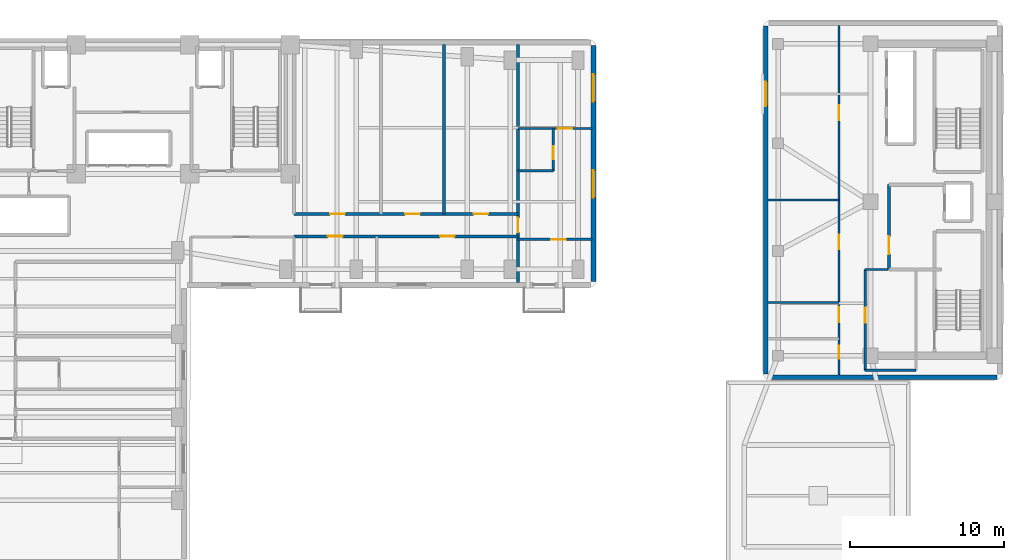
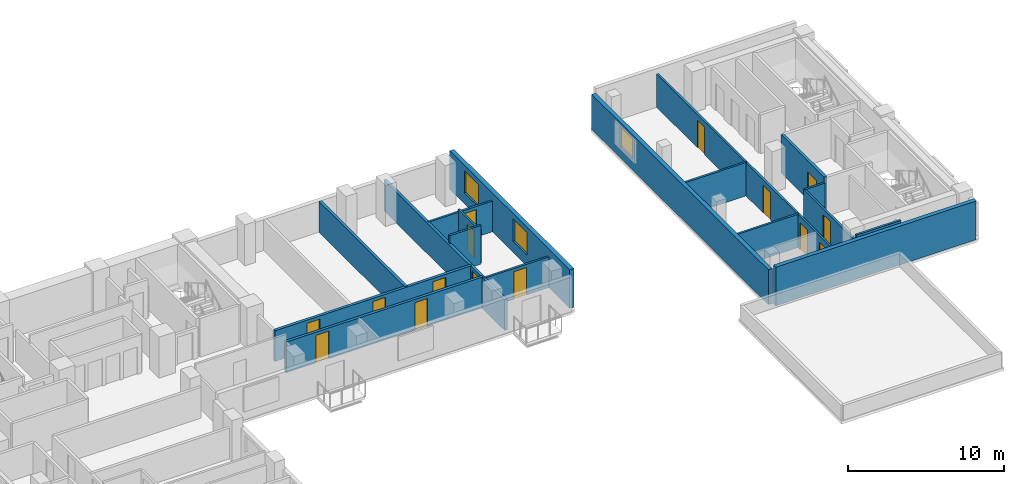
# One storey, part 5 of 11: 18 walls, 15 doors, 3 windows, 18 openings.
"""IFC4 building model written with IfcOpenShell, lengths in metres."""

from ifc_helpers import new_model, si_unit, direction, frame, frame_2d, origin, place, context, subcontext, project, spatial, rectangle, extrude, material, layer, layer_set, type_object, element, fill, save


model = new_model("IFC4")

# Units and contexts
model_context = context("Model", 3, precision=1e-05, world=origin(), true_north=direction((0.0, 1.0)))
body_context = subcontext(model_context, "Body", "Model", "MODEL_VIEW")
ifc_project = project(units=[si_unit("LENGTHUNIT", "METRE"), si_unit("AREAUNIT", "SQUARE_METRE"), si_unit("VOLUMEUNIT", "CUBIC_METRE"), si_unit("PLANEANGLEUNIT", "RADIAN"), si_unit("MASSUNIT", "GRAM", prefix="KILO")], contexts=[model_context])

# Site, building, storey
site_placement = place(None, origin())
site = spatial("IfcSite", under=ifc_project, at=site_placement, CompositionType="ELEMENT")
building_placement = place(site_placement, origin())
building = spatial("IfcBuilding", under=site, at=building_placement, Name="Kuzgunbayir Cultural Tower", CompositionType="ELEMENT")
storey_placement = place(building_placement, frame((0.0, 0.0, 86.60009765625)))
storey = spatial("IfcBuildingStorey", under=building, at=storey_placement, Name="L24", CompositionType="ELEMENT", Elevation=86.60009765625)

# Wall, opening, window
ifc_material_1 = material(Name="Anatolian Cream Limestone", Category="masonry")
ifc_layer_1 = layer(ifc_material_1, 0.300048828125)
ifc_layer_set_1 = layer_set([ifc_layer_1], Name="Anatolian Cream Limestone")
wall_type_1 = type_object("IfcWallType", Name="WAL-EXT-STONE-300", PredefinedType="STANDARD", material=ifc_layer_set_1)
wall_1_placement = place(storey_placement, frame((57.800048828125, 43.39990234375, 0.0), z_axis=(0.0, 0.0, 1.0), x_axis=(0.0, -1.0, 0.0)))
wall_1 = element("IfcWall", 1, at=wall_1_placement, inside=storey, type_object=wall_type_1, Name="L24 Companion West Limestone Wall", PredefinedType="STANDARD", context=body_context, shape_type="SweptSolid", body=[
    extrude(rectangle(XDim=22.599853515625, YDim=0.300048828125, at=frame_2d((11.2998046875, 0.0))), origin(), (0.0, 0.0, 1.0), 2.72998046875),
])
opening_1_placement = place(wall_1_placement, frame((3.60009765625, 0.0, 0.85009765625)))
opening_1 = element("IfcOpeningElement", 2, at=opening_1_placement, cuts=wall_1, Name="Opening WC-16", PredefinedType="OPENING", context=body_context, shape_type="SweptSolid", body=[
    extrude(rectangle(XDim=1.60009765625, YDim=1.580078125, at=frame_2d((0.800048828125, 0.7900390625))), frame((0.0, 0.16015625, 0.0), z_axis=(0.0, -1.0, 0.0), x_axis=(1.0, 0.0, 0.0)), (0.0, 0.0, 1.0), 0.320068359375),
])
ifc_material_2 = material(Name="Solar-Control Triple Glazing", Category="glass")
window_type_1 = type_object("IfcWindowType", Name="WIN-COMP-16", PartitioningType="SINGLE_PANEL", PredefinedType="WINDOW", material=ifc_material_2)
window_1_placement = place(opening_1_placement, origin())
window_1 = element("IfcWindow", 3, at=window_1_placement, inside=storey, type_object=window_type_1, Name="L24 Companion West Window 39", OverallHeight=1.580078125, OverallWidth=1.60009765625, PartitioningType="SINGLE_PANEL", PredefinedType="WINDOW", context=body_context, shape_type="SweptSolid", body=[
    extrude(rectangle(XDim=1.60009765625, YDim=1.580078125, at=frame_2d((0.800048828125, 0.7900390625))), frame((0.0, 0.030029296875, 0.0), z_axis=(0.0, -1.0, 0.0), x_axis=(1.0, 0.0, 0.0)), (0.0, 0.0, 1.0), 0.06005859375),
])
fill(opening_1, window_1)

# Wall
wall_2_placement = place(storey_placement, frame((58.0, 20.60009765625, 0.0), z_axis=(0.0, 0.0, 1.0), x_axis=(1.0, 0.0, 0.0)))
element("IfcWall", 4, at=wall_2_placement, inside=storey, type_object=wall_type_1, Name="L24 Companion South Limestone Wall", PredefinedType="STANDARD", context=body_context, shape_type="SweptSolid", body=[
    extrude(rectangle(XDim=14.800048828125, YDim=0.300048828125, at=frame_2d((7.39990234375, 0.0))), origin(), (0.0, 0.0, 1.0), 3.02001953125),
])

# Wall, openings, windows
ifc_material_3 = material(Name="Travertine Buff Ashlar", Category="masonry")
ifc_layer_2 = layer(ifc_material_3, 0.320068359375)
ifc_layer_set_2 = layer_set([ifc_layer_2], Name="Travertine Buff Ashlar")
wall_type_2 = type_object("IfcWallType", Name="WAL-EXT-STONE-320", PredefinedType="STANDARD", material=ifc_layer_set_2)
wall_3_placement = place(storey_placement, frame((46.60009765625, 26.800048828125, 0.0), z_axis=(0.0, 0.0, 1.0), x_axis=(0.0, 1.0, 0.0)))
wall_3 = element("IfcWall", 5, at=wall_3_placement, inside=storey, type_object=wall_type_2, Name="L24 Wing B East Limestone Wall", PredefinedType="STANDARD", context=body_context, shape_type="SweptSolid", body=[
    extrude(rectangle(XDim=15.349853515625, YDim=0.320068359375, at=frame_2d((7.6748046875, 0.0))), origin(), (0.0, 0.0, 1.0), 3.02001953125),
])
opening_2_placement = place(wall_3_placement, frame((5.449951171875, 0.0, 0.85009765625)))
opening_2 = element("IfcOpeningElement", 6, at=opening_2_placement, cuts=wall_3, Name="Opening WH-18", PredefinedType="OPENING", context=body_context, shape_type="SweptSolid", body=[
    extrude(rectangle(XDim=1.800048828125, YDim=1.75, at=frame_2d((0.89990234375, 0.875))), frame((0.0, 0.169921875, 0.0), z_axis=(0.0, -1.0, 0.0), x_axis=(1.0, 0.0, 0.0)), (0.0, 0.0, 1.0), 0.340087890625),
])
opening_3_placement = place(wall_3_placement, frame((11.679931640625, 0.0, 0.85009765625)))
opening_3 = element("IfcOpeningElement", 7, at=opening_3_placement, cuts=wall_3, Name="Opening WH-18", PredefinedType="OPENING", context=body_context, shape_type="SweptSolid", body=[
    extrude(rectangle(XDim=1.800048828125, YDim=1.75, at=frame_2d((0.89990234375, 0.875))), frame((0.0, 0.169921875, 0.0), z_axis=(0.0, -1.0, 0.0), x_axis=(1.0, 0.0, 0.0)), (0.0, 0.0, 1.0), 0.340087890625),
])
window_type_2 = type_object("IfcWindowType", Name="WIN-HOTEL-18", PartitioningType="SINGLE_PANEL", PredefinedType="WINDOW", material=ifc_material_2)
window_2_placement = place(opening_2_placement, origin())
window_2 = element("IfcWindow", 8, at=window_2_placement, inside=storey, type_object=window_type_2, Name="L24 WBE Facade Window 4", OverallHeight=1.75, OverallWidth=1.800048828125, PartitioningType="SINGLE_PANEL", PredefinedType="WINDOW", context=body_context, shape_type="SweptSolid", body=[
    extrude(rectangle(XDim=1.800048828125, YDim=1.75, at=frame_2d((0.89990234375, 0.875))), frame((0.0, 0.030029296875, 0.0), z_axis=(0.0, -1.0, 0.0), x_axis=(1.0, 0.0, 0.0)), (0.0, 0.0, 1.0), 0.06005859375),
])
fill(opening_2, window_2)
window_3_placement = place(opening_3_placement, origin())
window_3 = element("IfcWindow", 9, at=window_3_placement, inside=storey, type_object=window_type_2, Name="L24 WBE Facade Window 5", OverallHeight=1.75, OverallWidth=1.800048828125, PartitioningType="SINGLE_PANEL", PredefinedType="WINDOW", context=body_context, shape_type="SweptSolid", body=[
    extrude(rectangle(XDim=1.800048828125, YDim=1.75, at=frame_2d((0.89990234375, 0.875))), frame((0.0, 0.030029296875, 0.0), z_axis=(0.0, -1.0, 0.0), x_axis=(1.0, 0.0, 0.0)), (0.0, 0.0, 1.0), 0.06005859375),
])
fill(opening_3, window_3)

# Wall, opening, door
ifc_material_4 = material(Name="Acoustic Double-Stud Drywall", Category="gypsum")
ifc_layer_3 = layer(ifc_material_4, 0.14990234375)
ifc_layer_set_3 = layer_set([ifc_layer_3], Name="Acoustic Double-Stud Drywall")
wall_type_3 = type_object("IfcWallType", Name="WAL-PART-ACOUSTIC-150", PredefinedType="PARTITIONING", material=ifc_layer_set_3)
wall_4_placement = place(storey_placement, frame((41.699951171875, 36.75, 0.0), z_axis=(0.0, 0.0, 1.0), x_axis=(1.0, 0.0, 0.0)))
wall_4 = element("IfcWall", 10, at=wall_4_placement, inside=storey, type_object=wall_type_3, Name="L24 Corner Suite Bedroom Wall", PredefinedType="PARTITIONING", context=body_context, shape_type="SweptSolid", body=[
    extrude(rectangle(XDim=4.800048828125, YDim=0.14990234375, at=frame_2d((2.39990234375, 0.0))), origin(), (0.0, 0.0, 1.0), 2.39990234375),
])
opening_4_placement = place(wall_4_placement, frame((2.590087890625, 0.0, 0.0)))
opening_4 = element("IfcOpeningElement", 11, at=opening_4_placement, cuts=wall_4, Name="Opening DI-90", PredefinedType="OPENING", context=body_context, shape_type="SweptSolid", body=[
    extrude(rectangle(XDim=0.949951171875, YDim=2.14990234375, at=frame_2d((0.47509765625, 1.074951171875))), frame((0.0, 0.0849609375, 0.0), z_axis=(0.0, -1.0, 0.0), x_axis=(1.0, 0.0, 0.0)), (0.0, 0.0, 1.0), 0.169921875),
])
ifc_material_5 = material(Name="Veneered Oak Single Leaf", Category="wood")
door_type_1 = type_object("IfcDoorType", Name="DR-INT-90", OperationType="NOTDEFINED", PredefinedType="DOOR", material=ifc_material_5)
door_1_placement = place(opening_4_placement, origin())
door_1 = element("IfcDoor", 12, at=door_1_placement, inside=storey, type_object=door_type_1, Name="L24 Corner Bedroom Door", OperationType="SINGLE_SWING_LEFT", OverallHeight=2.14990234375, OverallWidth=0.949951171875, PredefinedType="DOOR", context=body_context, shape_type="SweptSolid", body=[
    extrude(rectangle(XDim=0.949951171875, YDim=2.14990234375, at=frame_2d((0.47509765625, 1.074951171875))), frame((0.0, 0.02490234375, 0.0), z_axis=(0.0, -1.0, 0.0), x_axis=(1.0, 0.0, 0.0)), (0.0, 0.0, 1.0), 0.050048828125),
])
fill(opening_4, door_1)

wall_5_placement = place(storey_placement, frame((64.25, 21.050048828125, 0.0), z_axis=(0.0, 0.0, 1.0), x_axis=(0.0, 1.0, 0.0)))
wall_5 = element("IfcWall", 13, at=wall_5_placement, inside=storey, type_object=wall_type_3, Name="L24 Companion Archive West Wall", PredefinedType="PARTITIONING", context=body_context, shape_type="SweptSolid", body=[
    extrude(rectangle(XDim=6.550048828125, YDim=0.14990234375, at=frame_2d((3.27490234375, 0.0))), origin(), (0.0, 0.0, 1.0), 2.599853515625),
])
opening_5_placement = place(wall_5_placement, frame((3.10009765625, 0.0, 0.0)))
opening_5 = element("IfcOpeningElement", 14, at=opening_5_placement, cuts=wall_5, Name="Opening DI-90", PredefinedType="OPENING", context=body_context, shape_type="SweptSolid", body=[
    extrude(rectangle(XDim=0.949951171875, YDim=2.14990234375, at=frame_2d((0.47509765625, 1.074951171875))), frame((0.0, 0.0849609375, 0.0), z_axis=(0.0, -1.0, 0.0), x_axis=(1.0, 0.0, 0.0)), (0.0, 0.0, 1.0), 0.169921875),
])
door_2_placement = place(opening_5_placement, origin())
door_2 = element("IfcDoor", 15, at=door_2_placement, inside=storey, type_object=door_type_1, Name="L24 Companion Archive Door", OperationType="SINGLE_SWING_LEFT", OverallHeight=2.14990234375, OverallWidth=0.949951171875, PredefinedType="DOOR", context=body_context, shape_type="SweptSolid", body=[
    extrude(rectangle(XDim=0.949951171875, YDim=2.14990234375, at=frame_2d((0.47509765625, 1.074951171875))), frame((0.0, 0.02490234375, 0.0), z_axis=(0.0, -1.0, 0.0), x_axis=(1.0, 0.0, 0.0)), (0.0, 0.0, 1.0), 0.050048828125),
])
fill(opening_5, door_2)

# Walls
wall_6_placement = place(storey_placement, frame((64.25, 21.050048828125, 0.0), z_axis=(0.0, 0.0, 1.0), x_axis=(1.0, 0.0, 0.0)))
element("IfcWall", 16, at=wall_6_placement, inside=storey, type_object=wall_type_3, Name="L24 Companion Archive South Wall", PredefinedType="PARTITIONING", context=body_context, shape_type="SweptSolid", body=[
    extrude(rectangle(XDim=3.300048828125, YDim=0.14990234375, at=frame_2d((1.64990234375, 0.0))), origin(), (0.0, 0.0, 1.0), 3.02001953125),
])
wall_7_placement = place(storey_placement, frame((64.25, 27.60009765625, 0.0), z_axis=(0.0, 0.0, 1.0), x_axis=(1.0, 0.0, 0.0)))
element("IfcWall", 17, at=wall_7_placement, inside=storey, type_object=wall_type_3, Name="L24 Companion Archive North Wall", PredefinedType="PARTITIONING", context=body_context, shape_type="SweptSolid", body=[
    extrude(rectangle(XDim=1.469970703125, YDim=0.14990234375, at=frame_2d((0.73486328125, 0.0))), origin(), (0.0, 0.0, 1.0), 2.599853515625),
])

# Wall, openings, doors
wall_8_placement = place(storey_placement, frame((62.550048828125, 20.75, 0.0), z_axis=(0.0, 0.0, 1.0), x_axis=(0.0, 1.0, 0.0)))
wall_8 = element("IfcWall", 18, at=wall_8_placement, inside=storey, type_object=wall_type_3, Name="L24 Companion Corridor West Wall", PredefinedType="PARTITIONING", context=body_context, shape_type="SweptSolid", body=[
    extrude(rectangle(XDim=22.699951171875, YDim=0.14990234375, at=frame_2d((11.35009765625, 0.0))), origin(), (0.0, 0.0, 1.0), 2.599853515625),
])
opening_6_placement = place(wall_8_placement, frame((1.050048828125, 0.0, 0.0)))
opening_6 = element("IfcOpeningElement", 19, at=opening_6_placement, cuts=wall_8, Name="Opening DW-85", PredefinedType="OPENING", context=body_context, shape_type="SweptSolid", body=[
    extrude(rectangle(XDim=0.85009765625, YDim=2.10009765625, at=frame_2d((0.425048828125, 1.050048828125))), frame((0.0, 0.0849609375, 0.0), z_axis=(0.0, -1.0, 0.0), x_axis=(1.0, 0.0, 0.0)), (0.0, 0.0, 1.0), 0.169921875),
])
opening_7_placement = place(wall_8_placement, frame((3.429931640625, 0.0, 0.0)))
opening_7 = element("IfcOpeningElement", 20, at=opening_7_placement, cuts=wall_8, Name="Opening DW-95", PredefinedType="OPENING", context=body_context, shape_type="SweptSolid", body=[
    extrude(rectangle(XDim=0.949951171875, YDim=2.10009765625, at=frame_2d((0.47509765625, 1.050048828125))), frame((0.0, 0.0849609375, 0.0), z_axis=(0.0, -1.0, 0.0), x_axis=(1.0, 0.0, 0.0)), (0.0, 0.0, 1.0), 0.169921875),
])
opening_8_placement = place(wall_8_placement, frame((8.14990234375, 0.0, 0.0)))
opening_8 = element("IfcOpeningElement", 21, at=opening_8_placement, cuts=wall_8, Name="Opening DI-90", PredefinedType="OPENING", context=body_context, shape_type="SweptSolid", body=[
    extrude(rectangle(XDim=0.949951171875, YDim=2.14990234375, at=frame_2d((0.47509765625, 1.074951171875))), frame((0.0, 0.0849609375, 0.0), z_axis=(0.0, -1.0, 0.0), x_axis=(1.0, 0.0, 0.0)), (0.0, 0.0, 1.0), 0.169921875),
])
opening_9_placement = place(wall_8_placement, frame((16.550048828125, 0.0, 0.0)))
opening_9 = element("IfcOpeningElement", 22, at=opening_9_placement, cuts=wall_8, Name="Opening DI-90", PredefinedType="OPENING", context=body_context, shape_type="SweptSolid", body=[
    extrude(rectangle(XDim=0.949951171875, YDim=2.14990234375, at=frame_2d((0.47509765625, 1.074951171875))), frame((0.0, 0.0849609375, 0.0), z_axis=(0.0, -1.0, 0.0), x_axis=(1.0, 0.0, 0.0)), (0.0, 0.0, 1.0), 0.169921875),
])
door_3_placement = place(opening_8_placement, origin())
door_3 = element("IfcDoor", 23, at=door_3_placement, inside=storey, type_object=door_type_1, Name="L24 Companion Curatorial Office 1 Door", OperationType="SINGLE_SWING_RIGHT", OverallHeight=2.14990234375, OverallWidth=0.949951171875, PredefinedType="DOOR", context=body_context, shape_type="SweptSolid", body=[
    extrude(rectangle(XDim=0.949951171875, YDim=2.14990234375, at=frame_2d((0.47509765625, 1.074951171875))), frame((0.0, 0.02490234375, 0.0), z_axis=(0.0, -1.0, 0.0), x_axis=(1.0, 0.0, 0.0)), (0.0, 0.0, 1.0), 0.050048828125),
])
fill(opening_8, door_3)
door_4_placement = place(opening_9_placement, origin())
door_4 = element("IfcDoor", 24, at=door_4_placement, inside=storey, type_object=door_type_1, Name="L24 Companion Art Publication Salon 2 Door", OperationType="SINGLE_SWING_LEFT", OverallHeight=2.14990234375, OverallWidth=0.949951171875, PredefinedType="DOOR", context=body_context, shape_type="SweptSolid", body=[
    extrude(rectangle(XDim=0.949951171875, YDim=2.14990234375, at=frame_2d((0.47509765625, 1.074951171875))), frame((0.0, 0.02490234375, 0.0), z_axis=(0.0, -1.0, 0.0), x_axis=(1.0, 0.0, 0.0)), (0.0, 0.0, 1.0), 0.050048828125),
])
fill(opening_9, door_4)
ifc_material_6 = material(Name="Laminate Moisture-Resistant Leaf", Category="wood")
door_type_2 = type_object("IfcDoorType", Name="DR-WET-85", OperationType="NOTDEFINED", PredefinedType="DOOR", material=ifc_material_6)
door_5_placement = place(opening_6_placement, origin())
door_5 = element("IfcDoor", 25, at=door_5_placement, inside=storey, type_object=door_type_2, Name="L24 Companion WC Door", OperationType="SINGLE_SWING_RIGHT", OverallHeight=2.10009765625, OverallWidth=0.85009765625, PredefinedType="DOOR", context=body_context, shape_type="SweptSolid", body=[
    extrude(rectangle(XDim=0.85009765625, YDim=2.10009765625, at=frame_2d((0.425048828125, 1.050048828125))), frame((0.0, 0.02490234375, 0.0), z_axis=(0.0, -1.0, 0.0), x_axis=(1.0, 0.0, 0.0)), (0.0, 0.0, 1.0), 0.050048828125),
])
fill(opening_6, door_5)
door_type_3 = type_object("IfcDoorType", Name="DR-WET-95", OperationType="NOTDEFINED", PredefinedType="DOOR", material=ifc_material_6)
door_6_placement = place(opening_7_placement, origin())
door_6 = element("IfcDoor", 26, at=door_6_placement, inside=storey, type_object=door_type_3, Name="L24 Companion Accessible WC Door", OperationType="SINGLE_SWING_LEFT", OverallHeight=2.10009765625, OverallWidth=0.949951171875, PredefinedType="DOOR", context=body_context, shape_type="SweptSolid", body=[
    extrude(rectangle(XDim=0.949951171875, YDim=2.10009765625, at=frame_2d((0.47509765625, 1.050048828125))), frame((0.0, 0.02490234375, 0.0), z_axis=(0.0, -1.0, 0.0), x_axis=(1.0, 0.0, 0.0)), (0.0, 0.0, 1.0), 0.050048828125),
])
fill(opening_7, door_6)

# Wall
wall_9_placement = place(storey_placement, frame((57.949951171875, 32.110107421875, 0.0), z_axis=(0.0, 0.0, 1.0), x_axis=(1.0, 0.0, 0.0)))
element("IfcWall", 27, at=wall_9_placement, inside=storey, type_object=wall_type_3, Name="L24 Companion Studio Partition 1", PredefinedType="PARTITIONING", context=body_context, shape_type="SweptSolid", body=[
    extrude(rectangle(XDim=4.60009765625, YDim=0.14990234375, at=frame_2d((2.300048828125, 0.0))), origin(), (0.0, 0.0, 1.0), 2.599853515625),
])

# Wall, opening, door
ifc_material_7 = material(Name="Aerated Concrete Blockwork", Category="masonry")
ifc_layer_4 = layer(ifc_material_7, 0.199951171875)
ifc_layer_set_4 = layer_set([ifc_layer_4], Name="Aerated Concrete Blockwork")
wall_type_4 = type_object("IfcWallType", Name="WAL-PART-FIRE-200", PredefinedType="PARTITIONING", material=ifc_layer_set_4)
wall_10_placement = place(storey_placement, frame((65.800048828125, 27.60009765625, 0.0), z_axis=(0.0, 0.0, 1.0), x_axis=(0.0, 1.0, 0.0)))
wall_10 = element("IfcWall", 28, at=wall_10_placement, inside=storey, type_object=wall_type_4, Name="L24 FFL-3 Lobby West Fire Wall", PredefinedType="PARTITIONING", context=body_context, shape_type="SweptSolid", body=[
    extrude(rectangle(XDim=5.5, YDim=0.199951171875, at=frame_2d((2.75, 0.0))), origin(), (0.0, 0.0, 1.0), 3.02001953125),
])
opening_10_placement = place(wall_10_placement, frame((1.0, 0.0, 0.0)))
opening_10 = element("IfcOpeningElement", 29, at=opening_10_placement, cuts=wall_10, Name="Opening DR-FFL-90", PredefinedType="OPENING", context=body_context, shape_type="SweptSolid", body=[
    extrude(rectangle(XDim=1.14990234375, YDim=2.14990234375, at=frame_2d((0.574951171875, 1.074951171875))), frame((0.0, 0.10986328125, 0.0), z_axis=(0.0, -1.0, 0.0), x_axis=(1.0, 0.0, 0.0)), (0.0, 0.0, 1.0), 0.219970703125),
])
ifc_material_8 = material(Name="Steel S355J2", Category="steel")
door_type_4 = type_object("IfcDoorType", Name="DR-FFL-90", OperationType="NOTDEFINED", PredefinedType="DOOR", material=ifc_material_8)
door_7_placement = place(opening_10_placement, origin())
door_7 = element("IfcDoor", 30, at=door_7_placement, inside=storey, type_object=door_type_4, Name="L24 Firefighting Lobby 3 Door", OperationType="SINGLE_SWING_LEFT", OverallHeight=2.14990234375, OverallWidth=1.14990234375, PredefinedType="DOOR", context=body_context, shape_type="SweptSolid", body=[
    extrude(rectangle(XDim=1.14990234375, YDim=2.14990234375, at=frame_2d((0.574951171875, 1.074951171875))), frame((0.0, 0.02490234375, 0.0), z_axis=(0.0, -1.0, 0.0), x_axis=(1.0, 0.0, 0.0)), (0.0, 0.0, 1.0), 0.050048828125),
])
fill(opening_10, door_7)

# Wall, openings, doors
wall_11_placement = place(storey_placement, frame((27.14990234375, 29.75, 0.0), z_axis=(0.0, 0.0, 1.0), x_axis=(1.0, 0.0, 0.0)))
wall_11 = element("IfcWall", 31, at=wall_11_placement, inside=storey, type_object=wall_type_4, Name="L24 Wing B Hotel Corridor South Wall", PredefinedType="PARTITIONING", context=body_context, shape_type="SweptSolid", body=[
    extrude(rectangle(XDim=14.550048828125, YDim=0.199951171875, at=frame_2d((7.27490234375, 0.0))), origin(), (0.0, 0.0, 1.0), 2.39990234375),
])
opening_11_placement = place(wall_11_placement, frame((2.2099609375, 0.0, 0.0)))
opening_11 = element("IfcOpeningElement", 32, at=opening_11_placement, cuts=wall_11, Name="Opening DI-90", PredefinedType="OPENING", context=body_context, shape_type="SweptSolid", body=[
    extrude(rectangle(XDim=0.949951171875, YDim=2.14990234375, at=frame_2d((0.47509765625, 1.074951171875))), frame((0.0, 0.10986328125, 0.0), z_axis=(0.0, -1.0, 0.0), x_axis=(1.0, 0.0, 0.0)), (0.0, 0.0, 1.0), 0.219970703125),
])
opening_12_placement = place(wall_11_placement, frame((9.489990234375, 0.0, 0.0)))
opening_12 = element("IfcOpeningElement", 33, at=opening_12_placement, cuts=wall_11, Name="Opening DI-90", PredefinedType="OPENING", context=body_context, shape_type="SweptSolid", body=[
    extrude(rectangle(XDim=0.949951171875, YDim=2.14990234375, at=frame_2d((0.47509765625, 1.074951171875))), frame((0.0, 0.10986328125, 0.0), z_axis=(0.0, -1.0, 0.0), x_axis=(1.0, 0.0, 0.0)), (0.0, 0.0, 1.0), 0.219970703125),
])
door_8_placement = place(opening_11_placement, origin())
door_8 = element("IfcDoor", 34, at=door_8_placement, inside=storey, type_object=door_type_1, Name="L24 Curatorial Office B1 Door", OperationType="SINGLE_SWING_RIGHT", OverallHeight=2.14990234375, OverallWidth=0.949951171875, PredefinedType="DOOR", context=body_context, shape_type="SweptSolid", body=[
    extrude(rectangle(XDim=0.949951171875, YDim=2.14990234375, at=frame_2d((0.47509765625, 1.074951171875))), frame((0.0, 0.02490234375, 0.0), z_axis=(0.0, -1.0, 0.0), x_axis=(1.0, 0.0, 0.0)), (0.0, 0.0, 1.0), 0.050048828125),
])
fill(opening_11, door_8)
door_9_placement = place(opening_12_placement, origin())
door_9 = element("IfcDoor", 35, at=door_9_placement, inside=storey, type_object=door_type_1, Name="L24 Curatorial Office B2 Door", OperationType="SINGLE_SWING_LEFT", OverallHeight=2.14990234375, OverallWidth=0.949951171875, PredefinedType="DOOR", context=body_context, shape_type="SweptSolid", body=[
    extrude(rectangle(XDim=0.949951171875, YDim=2.14990234375, at=frame_2d((0.47509765625, 1.074951171875))), frame((0.0, 0.02490234375, 0.0), z_axis=(0.0, -1.0, 0.0), x_axis=(1.0, 0.0, 0.0)), (0.0, 0.0, 1.0), 0.050048828125),
])
fill(opening_12, door_9)

wall_12_placement = place(storey_placement, frame((27.14990234375, 31.199951171875, 0.0), z_axis=(0.0, 0.0, 1.0), x_axis=(1.0, 0.0, 0.0)))
wall_12 = element("IfcWall", 36, at=wall_12_placement, inside=storey, type_object=wall_type_4, Name="L24 Wing B Hotel Corridor North Wall", PredefinedType="PARTITIONING", context=body_context, shape_type="SweptSolid", body=[
    extrude(rectangle(XDim=14.550048828125, YDim=0.199951171875, at=frame_2d((7.27490234375, 0.0))), origin(), (0.0, 0.0, 1.0), 2.39990234375),
])
opening_13_placement = place(wall_12_placement, frame((2.360107421875, 0.0, 0.0)))
opening_13 = element("IfcOpeningElement", 37, at=opening_13_placement, cuts=wall_12, Name="Opening DI-90", PredefinedType="OPENING", context=body_context, shape_type="SweptSolid", body=[
    extrude(rectangle(XDim=0.949951171875, YDim=2.14990234375, at=frame_2d((0.47509765625, 1.074951171875))), frame((0.0, 0.10986328125, 0.0), z_axis=(0.0, -1.0, 0.0), x_axis=(1.0, 0.0, 0.0)), (0.0, 0.0, 1.0), 0.219970703125),
])
opening_14_placement = place(wall_12_placement, frame((7.22998046875, 0.0, 0.0)))
opening_14 = element("IfcOpeningElement", 38, at=opening_14_placement, cuts=wall_12, Name="Opening DI-90", PredefinedType="OPENING", context=body_context, shape_type="SweptSolid", body=[
    extrude(rectangle(XDim=0.949951171875, YDim=2.14990234375, at=frame_2d((0.47509765625, 1.074951171875))), frame((0.0, 0.10986328125, 0.0), z_axis=(0.0, -1.0, 0.0), x_axis=(1.0, 0.0, 0.0)), (0.0, 0.0, 1.0), 0.219970703125),
])
opening_15_placement = place(wall_12_placement, frame((11.669921875, 0.0, 0.0)))
opening_15 = element("IfcOpeningElement", 39, at=opening_15_placement, cuts=wall_12, Name="Opening DI-90", PredefinedType="OPENING", context=body_context, shape_type="SweptSolid", body=[
    extrude(rectangle(XDim=0.949951171875, YDim=2.14990234375, at=frame_2d((0.47509765625, 1.074951171875))), frame((0.0, 0.10986328125, 0.0), z_axis=(0.0, -1.0, 0.0), x_axis=(1.0, 0.0, 0.0)), (0.0, 0.0, 1.0), 0.219970703125),
])
door_10_placement = place(opening_13_placement, origin())
door_10 = element("IfcDoor", 40, at=door_10_placement, inside=storey, type_object=door_type_1, Name="L24 North Curatorial Office 1 Door", OperationType="SINGLE_SWING_RIGHT", OverallHeight=2.14990234375, OverallWidth=0.949951171875, PredefinedType="DOOR", context=body_context, shape_type="SweptSolid", body=[
    extrude(rectangle(XDim=0.949951171875, YDim=2.14990234375, at=frame_2d((0.47509765625, 1.074951171875))), frame((0.0, 0.02490234375, 0.0), z_axis=(0.0, -1.0, 0.0), x_axis=(1.0, 0.0, 0.0)), (0.0, 0.0, 1.0), 0.050048828125),
])
fill(opening_13, door_10)
door_11_placement = place(opening_14_placement, origin())
door_11 = element("IfcDoor", 41, at=door_11_placement, inside=storey, type_object=door_type_1, Name="L24 North Art Publication Salon 2 Door", OperationType="SINGLE_SWING_LEFT", OverallHeight=2.14990234375, OverallWidth=0.949951171875, PredefinedType="DOOR", context=body_context, shape_type="SweptSolid", body=[
    extrude(rectangle(XDim=0.949951171875, YDim=2.14990234375, at=frame_2d((0.47509765625, 1.074951171875))), frame((0.0, 0.02490234375, 0.0), z_axis=(0.0, -1.0, 0.0), x_axis=(1.0, 0.0, 0.0)), (0.0, 0.0, 1.0), 0.050048828125),
])
fill(opening_14, door_11)
door_12_placement = place(opening_15_placement, origin())
door_12 = element("IfcDoor", 42, at=door_12_placement, inside=storey, type_object=door_type_1, Name="L24 North Culinary Tasting Pantry 3 Door", OperationType="SINGLE_SWING_RIGHT", OverallHeight=2.14990234375, OverallWidth=0.949951171875, PredefinedType="DOOR", context=body_context, shape_type="SweptSolid", body=[
    extrude(rectangle(XDim=0.949951171875, YDim=2.14990234375, at=frame_2d((0.47509765625, 1.074951171875))), frame((0.0, 0.02490234375, 0.0), z_axis=(0.0, -1.0, 0.0), x_axis=(1.0, 0.0, 0.0)), (0.0, 0.0, 1.0), 0.050048828125),
])
fill(opening_15, door_12)

# Wall, opening, door
wall_13_placement = place(storey_placement, frame((41.699951171875, 26.75, 0.0), z_axis=(0.0, 0.0, 1.0), x_axis=(0.0, 1.0, 0.0)))
wall_13 = element("IfcWall", 43, at=wall_13_placement, inside=storey, type_object=wall_type_4, Name="L24 Wing B East Suite Wall", PredefinedType="PARTITIONING", context=body_context, shape_type="SweptSolid", body=[
    extrude(rectangle(XDim=15.449951171875, YDim=0.199951171875, at=frame_2d((7.72509765625, 0.0))), origin(), (0.0, 0.0, 1.0), 2.39990234375),
])
opening_16_placement = place(wall_13_placement, frame((3.25, 0.0, 0.0)))
opening_16 = element("IfcOpeningElement", 44, at=opening_16_placement, cuts=wall_13, Name="Opening DR-APT-60", PredefinedType="OPENING", context=body_context, shape_type="SweptSolid", body=[
    extrude(rectangle(XDim=0.949951171875, YDim=2.14990234375, at=frame_2d((0.47509765625, 1.074951171875))), frame((0.0, 0.10986328125, 0.0), z_axis=(0.0, -1.0, 0.0), x_axis=(1.0, 0.0, 0.0)), (0.0, 0.0, 1.0), 0.219970703125),
])
ifc_material_9 = material(Name="Acoustic Fire Timber Leaf", Category="wood")
door_type_5 = type_object("IfcDoorType", Name="DR-APT-60", OperationType="NOTDEFINED", PredefinedType="DOOR", material=ifc_material_9)
door_13_placement = place(opening_16_placement, origin())
door_13 = element("IfcDoor", 45, at=door_13_placement, inside=storey, type_object=door_type_5, Name="L24 Corner Suite Entrance", OperationType="SINGLE_SWING_RIGHT", OverallHeight=2.14990234375, OverallWidth=0.949951171875, PredefinedType="DOOR", context=body_context, shape_type="SweptSolid", body=[
    extrude(rectangle(XDim=0.949951171875, YDim=2.14990234375, at=frame_2d((0.47509765625, 1.074951171875))), frame((0.0, 0.02490234375, 0.0), z_axis=(0.0, -1.0, 0.0), x_axis=(1.0, 0.0, 0.0)), (0.0, 0.0, 1.0), 0.050048828125),
])
fill(opening_16, door_13)

# Wall
wall_14_placement = place(storey_placement, frame((36.89990234375, 31.199951171875, 0.0), z_axis=(0.0, 0.0, 1.0), x_axis=(0.0, 1.0, 0.0)))
element("IfcWall", 46, at=wall_14_placement, inside=storey, type_object=wall_type_4, Name="L24 Wing B North Party Wall 2", PredefinedType="PARTITIONING", context=body_context, shape_type="SweptSolid", body=[
    extrude(rectangle(XDim=11.0, YDim=0.199951171875, at=frame_2d((5.5, 0.0))), origin(), (0.0, 0.0, 1.0), 2.39990234375),
])

# Wall, opening, door
ifc_material_10 = material(Name="Moisture-Resistant Tile Partition", Category="gypsum")
ifc_layer_5 = layer(ifc_material_10, 0.14990234375)
ifc_layer_set_5 = layer_set([ifc_layer_5], Name="Moisture-Resistant Tile Partition")
wall_type_5 = type_object("IfcWallType", Name="WAL-PART-WET-150", PredefinedType="PARTITIONING", material=ifc_layer_set_5)
wall_15_placement = place(storey_placement, frame((41.699951171875, 29.550048828125, 0.0), z_axis=(0.0, 0.0, 1.0), x_axis=(1.0, 0.0, 0.0)))
wall_15 = element("IfcWall", 47, at=wall_15_placement, inside=storey, type_object=wall_type_5, Name="L24 Corner Suite Kitchen Wall", PredefinedType="PARTITIONING", context=body_context, shape_type="SweptSolid", body=[
    extrude(rectangle(XDim=4.800048828125, YDim=0.14990234375, at=frame_2d((2.39990234375, 0.0))), origin(), (0.0, 0.0, 1.0), 2.39990234375),
])
opening_17_placement = place(wall_15_placement, frame((2.159912109375, 0.0, 0.0)))
opening_17 = element("IfcOpeningElement", 48, at=opening_17_placement, cuts=wall_15, Name="Opening DI-90", PredefinedType="OPENING", context=body_context, shape_type="SweptSolid", body=[
    extrude(rectangle(XDim=0.949951171875, YDim=2.14990234375, at=frame_2d((0.47509765625, 1.074951171875))), frame((0.0, 0.0849609375, 0.0), z_axis=(0.0, -1.0, 0.0), x_axis=(1.0, 0.0, 0.0)), (0.0, 0.0, 1.0), 0.169921875),
])
door_14_placement = place(opening_17_placement, origin())
door_14 = element("IfcDoor", 49, at=door_14_placement, inside=storey, type_object=door_type_1, Name="L24 Corner Suite Kitchen Door", OperationType="SINGLE_SWING_LEFT", OverallHeight=2.14990234375, OverallWidth=0.949951171875, PredefinedType="DOOR", context=body_context, shape_type="SweptSolid", body=[
    extrude(rectangle(XDim=0.949951171875, YDim=2.14990234375, at=frame_2d((0.47509765625, 1.074951171875))), frame((0.0, 0.02490234375, 0.0), z_axis=(0.0, -1.0, 0.0), x_axis=(1.0, 0.0, 0.0)), (0.0, 0.0, 1.0), 0.050048828125),
])
fill(opening_17, door_14)

# Wall
wall_16_placement = place(storey_placement, frame((41.699951171875, 34.0, 0.0), z_axis=(0.0, 0.0, 1.0), x_axis=(1.0, 0.0, 0.0)))
element("IfcWall", 50, at=wall_16_placement, inside=storey, type_object=wall_type_5, Name="L24 Corner Suite Bath South Wall", PredefinedType="PARTITIONING", context=body_context, shape_type="SweptSolid", body=[
    extrude(rectangle(XDim=2.300048828125, YDim=0.14990234375, at=frame_2d((1.14990234375, 0.0))), origin(), (0.0, 0.0, 1.0), 3.02001953125),
])

# Wall, opening, door
wall_17_placement = place(storey_placement, frame((44.0, 34.0, 0.0), z_axis=(0.0, 0.0, 1.0), x_axis=(0.0, 1.0, 0.0)))
wall_17 = element("IfcWall", 51, at=wall_17_placement, inside=storey, type_object=wall_type_5, Name="L24 Corner Suite Bath East Wall", PredefinedType="PARTITIONING", context=body_context, shape_type="SweptSolid", body=[
    extrude(rectangle(XDim=2.75, YDim=0.14990234375, at=frame_2d((1.375, 0.0))), origin(), (0.0, 0.0, 1.0), 2.599853515625),
])
opening_18_placement = place(wall_17_placement, frame((0.75, 0.0, 0.0)))
opening_18 = element("IfcOpeningElement", 52, at=opening_18_placement, cuts=wall_17, Name="Opening DW-85", PredefinedType="OPENING", context=body_context, shape_type="SweptSolid", body=[
    extrude(rectangle(XDim=0.85009765625, YDim=2.10009765625, at=frame_2d((0.425048828125, 1.050048828125))), frame((0.0, 0.0849609375, 0.0), z_axis=(0.0, -1.0, 0.0), x_axis=(1.0, 0.0, 0.0)), (0.0, 0.0, 1.0), 0.169921875),
])
door_15_placement = place(opening_18_placement, origin())
door_15 = element("IfcDoor", 53, at=door_15_placement, inside=storey, type_object=door_type_2, Name="L24 Corner Suite Bathroom Door", OperationType="SINGLE_SWING_RIGHT", OverallHeight=2.10009765625, OverallWidth=0.85009765625, PredefinedType="DOOR", context=body_context, shape_type="SweptSolid", body=[
    extrude(rectangle(XDim=0.85009765625, YDim=2.10009765625, at=frame_2d((0.425048828125, 1.050048828125))), frame((0.0, 0.02490234375, 0.0), z_axis=(0.0, -1.0, 0.0), x_axis=(1.0, 0.0, 0.0)), (0.0, 0.0, 1.0), 0.050048828125),
])
fill(opening_18, door_15)

# Wall
wall_18_placement = place(storey_placement, frame((57.949951171875, 25.449951171875, 0.0), z_axis=(0.0, 0.0, 1.0), x_axis=(1.0, 0.0, 0.0)))
element("IfcWall", 54, at=wall_18_placement, inside=storey, type_object=wall_type_5, Name="L24 Companion Accessible WC Wall", PredefinedType="PARTITIONING", context=body_context, shape_type="SweptSolid", body=[
    extrude(rectangle(XDim=4.60009765625, YDim=0.14990234375, at=frame_2d((2.300048828125, 0.0))), origin(), (0.0, 0.0, 1.0), 2.599853515625),
])

save(model, "model.ifc")
